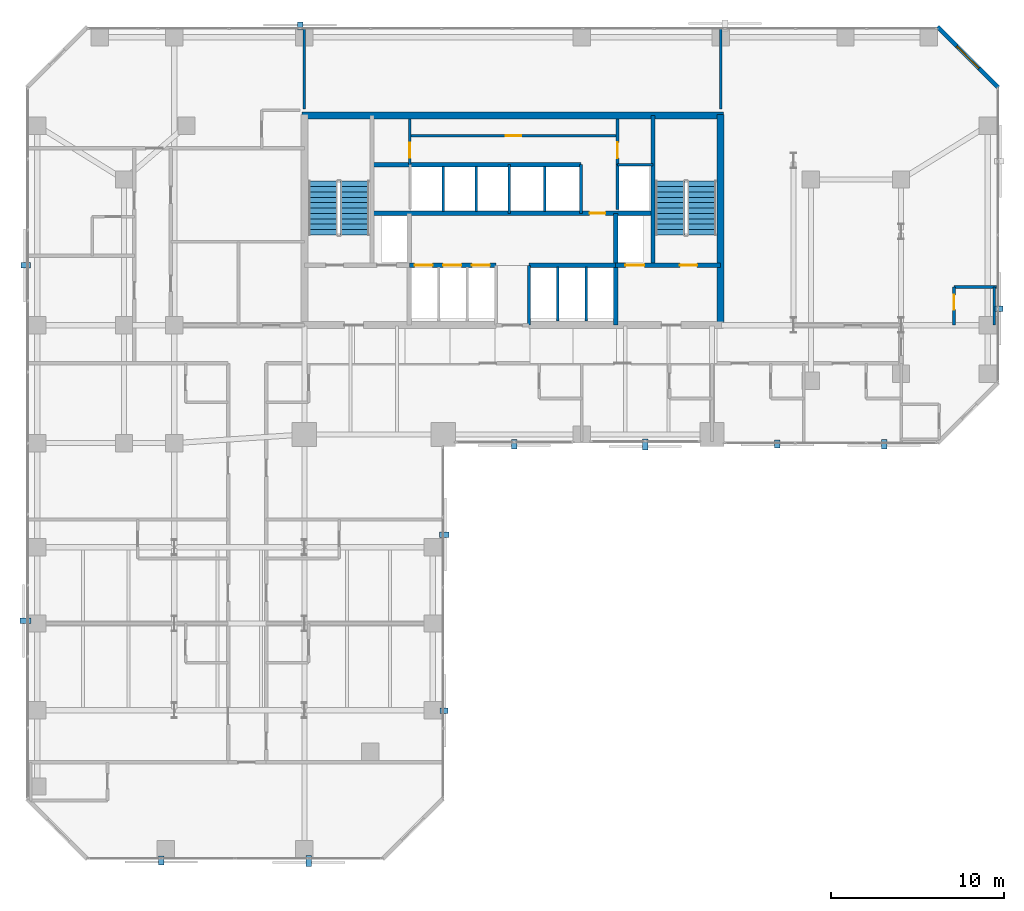
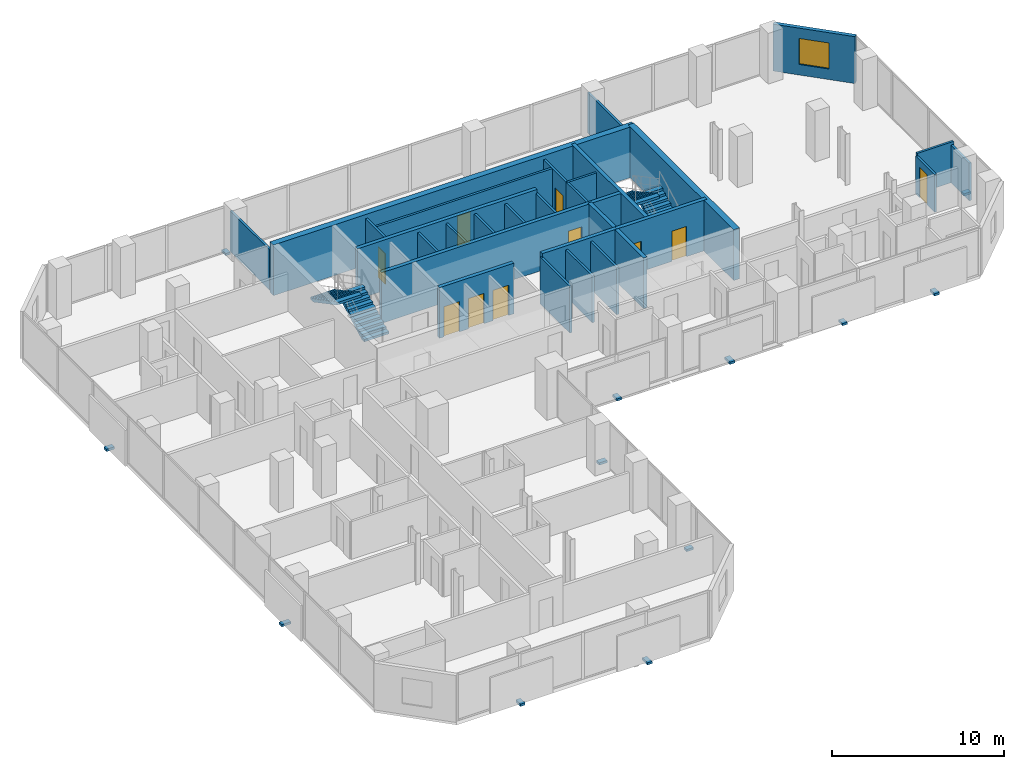
# One storey, part 29 of 32: 28 walls, 12 discrete accessories, 10 doors, 4 stair flights, 1 window, 11 openings, 2 elements without a shape of their own.
"""IFC4 building model written with IfcOpenShell, lengths in metres."""

from ifc_helpers import new_model, si_unit, direction, frame, frame_2d, origin, origin_2d, place, context, subcontext, project, spatial, polyline, rectangle, outline, extrude, material, layer, layer_set, type_object, element, fill, aggregate, save


model = new_model("IFC4")

# Units and contexts
model_context = context("Model", 3, precision=1e-05, world=origin(), true_north=direction((0.0, 1.0)))
body_context = subcontext(model_context, "Body", "Model", "MODEL_VIEW")
ifc_project = project(units=[si_unit("LENGTHUNIT", "METRE"), si_unit("AREAUNIT", "SQUARE_METRE"), si_unit("VOLUMEUNIT", "CUBIC_METRE"), si_unit("PLANEANGLEUNIT", "RADIAN"), si_unit("MASSUNIT", "GRAM", prefix="KILO")], contexts=[model_context])

# Site, building, storey
site_placement = place(None, origin())
site = spatial("IfcSite", under=ifc_project, at=site_placement, CompositionType="ELEMENT")
building_placement = place(site_placement, origin())
building = spatial("IfcBuilding", under=site, at=building_placement, Name="Catumbela Crestline Tower", CompositionType="ELEMENT")
storey_placement = place(building_placement, frame((0.0, 0.0, 29.4)))
storey = spatial("IfcBuildingStorey", under=building, at=storey_placement, Name="L06", CompositionType="ELEMENT", Elevation=29.4)

# Walls
ifc_material_1 = material(Name="Concrete C50/60", Category="concrete")
ifc_layer_1 = layer(ifc_material_1, 0.25, Name="Concrete C50/60")
ifc_layer_set_1 = layer_set([ifc_layer_1], Name="Concrete C50/60")
wall_type_1 = type_object("IfcWallType", Name="CW-250D", PredefinedType="SHEAR", material=ifc_layer_set_1)
wall_1_placement = place(storey_placement, frame((36.1, 34.25, 0.0), z_axis=(0.0, 0.0, 1.0), x_axis=(0.0, 1.0, 0.0)))
element("IfcWall", 1, at=wall_1_placement, inside=storey, type_object=wall_type_1, Name="L06 Structural Core Shear Wall EWEB", PredefinedType="SHEAR", context=body_context, shape_type="SweptSolid", body=[
    extrude(rectangle(XDim=8.65, YDim=0.25, at=frame_2d((4.325, 0.0))), origin(), (0.0, 0.0, 1.0), 3.6),
])
wall_2_placement = place(storey_placement, frame((33.95, 30.8, 0.0), z_axis=(0.0, 0.0, 1.0), x_axis=(0.0, 1.0, 0.0)))
element("IfcWall", 2, at=wall_2_placement, inside=storey, type_object=wall_type_1, Name="L06 Structural Core Shear Wall FFE", PredefinedType="SHEAR", context=body_context, shape_type="SweptSolid", body=[
    extrude(rectangle(XDim=6.45, YDim=0.25, at=frame_2d((3.225, 0.0))), origin(), (0.0, 0.0, 1.0), 3.6),
])

# Wall, openings, doors
wall_3_placement = place(storey_placement, frame((33.95, 34.25, 0.0), z_axis=(0.0, 0.0, 1.0), x_axis=(1.0, 0.0, 0.0)))
wall_3 = element("IfcWall", 3, at=wall_3_placement, inside=storey, type_object=wall_type_1, Name="L06 Structural Core Shear Wall ST2S", PredefinedType="SHEAR", context=body_context, shape_type="SweptSolid", body=[
    extrude(rectangle(XDim=6.05, YDim=0.25, at=frame_2d((3.025, 0.0))), origin(), (0.0, 0.0, 1.0), 3.6),
])
opening_1_placement = place(wall_3_placement, frame((3.7, 0.0, 0.0)))
opening_1 = element("IfcOpeningElement", 4, at=opening_1_placement, cuts=wall_3, Name="Opening DF9-100", PredefinedType="OPENING", context=body_context, shape_type="SweptSolid", body=[
    extrude(rectangle(XDim=1.0, YDim=2.15, at=frame_2d((0.5, 1.075))), frame((0.0, 0.135, 0.0), z_axis=(0.0, -1.0, 0.0), x_axis=(1.0, 0.0, 0.0)), (0.0, 0.0, 1.0), 0.27),
])
opening_2_placement = place(wall_3_placement, frame((0.55, 0.0, 0.0)))
opening_2 = element("IfcOpeningElement", 5, at=opening_2_placement, cuts=wall_3, Name="Opening LD-110", PredefinedType="OPENING", context=body_context, shape_type="SweptSolid", body=[
    extrude(rectangle(XDim=1.1, YDim=2.15, at=frame_2d((0.55, 1.075))), frame((0.0, 0.135, 0.0), z_axis=(0.0, -1.0, 0.0), x_axis=(1.0, 0.0, 0.0)), (0.0, 0.0, 1.0), 0.27),
])
ifc_material_2 = material(Name="Stainless steel EN 1.4401", Category="steel")
door_type_1 = type_object("IfcDoorType", Name="DF9-100", OperationType="NOTDEFINED", PredefinedType="DOOR", material=ifc_material_2)
door_1_placement = place(opening_1_placement, origin())
door_1 = element("IfcDoor", 6, at=door_1_placement, inside=storey, type_object=door_type_1, Name="L06 Interior Door DR-L06-ST02", OperationType="SINGLE_SWING_RIGHT", OverallHeight=2.15, OverallWidth=1.0, PredefinedType="DOOR", context=body_context, shape_type="SweptSolid", body=[
    extrude(rectangle(XDim=1.0, YDim=2.15, at=frame_2d((0.5, 1.075))), frame((0.0, 0.025, 0.0), z_axis=(0.0, -1.0, 0.0), x_axis=(1.0, 0.0, 0.0)), (0.0, 0.0, 1.0), 0.05),
])
fill(opening_1, door_1)
door_type_2 = type_object("IfcDoorType", Name="LD-110", OperationType="NOTDEFINED", PredefinedType="DOOR", material=ifc_material_2)
door_2_placement = place(opening_2_placement, origin())
door_2 = element("IfcDoor", 7, at=door_2_placement, inside=storey, type_object=door_type_2, Name="L06 Lift Landing Sliding Door FL-02", OperationType="DOUBLE_DOOR_SLIDING", OverallHeight=2.15, OverallWidth=1.1, PredefinedType="DOOR", context=body_context, shape_type="SweptSolid", body=[
    extrude(rectangle(XDim=1.1, YDim=2.15, at=frame_2d((0.55, 1.075))), frame((0.0, 0.025, 0.0), z_axis=(0.0, -1.0, 0.0), x_axis=(1.0, 0.0, 0.0)), (0.0, 0.0, 1.0), 0.05),
])
fill(opening_2, door_2)

wall_4_placement = place(storey_placement, frame((22.05, 34.25, 0.0), z_axis=(0.0, 0.0, 1.0), x_axis=(1.0, 0.0, 0.0)))
wall_4 = element("IfcWall", 8, at=wall_4_placement, inside=storey, type_object=wall_type_1, Name="L06 Structural Core Shear Wall LIFTS-W", PredefinedType="SHEAR", context=body_context, shape_type="SweptSolid", body=[
    extrude(rectangle(XDim=5.0, YDim=0.25, at=frame_2d((2.5, 0.0))), origin(), (0.0, 0.0, 1.0), 3.6),
])
opening_3_placement = place(wall_4_placement, frame((0.3, 0.0, 0.0)))
opening_3 = element("IfcOpeningElement", 9, at=opening_3_placement, cuts=wall_4, Name="Opening LD-105", PredefinedType="OPENING", context=body_context, shape_type="SweptSolid", body=[
    extrude(rectangle(XDim=1.05, YDim=2.15, at=frame_2d((0.525, 1.075))), frame((0.0, 0.135, 0.0), z_axis=(0.0, -1.0, 0.0), x_axis=(1.0, 0.0, 0.0)), (0.0, 0.0, 1.0), 0.27),
])
opening_4_placement = place(wall_4_placement, frame((1.95, 0.0, 0.0)))
opening_4 = element("IfcOpeningElement", 10, at=opening_4_placement, cuts=wall_4, Name="Opening LD-105", PredefinedType="OPENING", context=body_context, shape_type="SweptSolid", body=[
    extrude(rectangle(XDim=1.05, YDim=2.15, at=frame_2d((0.525, 1.075))), frame((0.0, 0.135, 0.0), z_axis=(0.0, -1.0, 0.0), x_axis=(1.0, 0.0, 0.0)), (0.0, 0.0, 1.0), 0.27),
])
opening_5_placement = place(wall_4_placement, frame((3.6, 0.0, 0.0)))
opening_5 = element("IfcOpeningElement", 11, at=opening_5_placement, cuts=wall_4, Name="Opening LD-105", PredefinedType="OPENING", context=body_context, shape_type="SweptSolid", body=[
    extrude(rectangle(XDim=1.05, YDim=2.15, at=frame_2d((0.525, 1.075))), frame((0.0, 0.135, 0.0), z_axis=(0.0, -1.0, 0.0), x_axis=(1.0, 0.0, 0.0)), (0.0, 0.0, 1.0), 0.27),
])
door_type_3 = type_object("IfcDoorType", Name="LD-105", OperationType="NOTDEFINED", PredefinedType="DOOR", material=ifc_material_2)
door_3_placement = place(opening_3_placement, origin())
door_3 = element("IfcDoor", 12, at=door_3_placement, inside=storey, type_object=door_type_3, Name="L06 Lift Landing Sliding Door PL-L1", OperationType="DOUBLE_DOOR_SLIDING", OverallHeight=2.15, OverallWidth=1.05, PredefinedType="DOOR", context=body_context, shape_type="SweptSolid", body=[
    extrude(rectangle(XDim=1.05, YDim=2.15, at=frame_2d((0.525, 1.075))), frame((0.0, 0.025, 0.0), z_axis=(0.0, -1.0, 0.0), x_axis=(1.0, 0.0, 0.0)), (0.0, 0.0, 1.0), 0.05),
])
fill(opening_3, door_3)
door_4_placement = place(opening_4_placement, origin())
door_4 = element("IfcDoor", 13, at=door_4_placement, inside=storey, type_object=door_type_3, Name="L06 Lift Landing Sliding Door PL-L2", OperationType="DOUBLE_DOOR_SLIDING", OverallHeight=2.15, OverallWidth=1.05, PredefinedType="DOOR", context=body_context, shape_type="SweptSolid", body=[
    extrude(rectangle(XDim=1.05, YDim=2.15, at=frame_2d((0.525, 1.075))), frame((0.0, 0.025, 0.0), z_axis=(0.0, -1.0, 0.0), x_axis=(1.0, 0.0, 0.0)), (0.0, 0.0, 1.0), 0.05),
])
fill(opening_4, door_4)
door_5_placement = place(opening_5_placement, origin())
door_5 = element("IfcDoor", 14, at=door_5_placement, inside=storey, type_object=door_type_3, Name="L06 Lift Landing Sliding Door PL-L3", OperationType="DOUBLE_DOOR_SLIDING", OverallHeight=2.15, OverallWidth=1.05, PredefinedType="DOOR", context=body_context, shape_type="SweptSolid", body=[
    extrude(rectangle(XDim=1.05, YDim=2.15, at=frame_2d((0.525, 1.075))), frame((0.0, 0.025, 0.0), z_axis=(0.0, -1.0, 0.0), x_axis=(1.0, 0.0, 0.0)), (0.0, 0.0, 1.0), 0.05),
])
fill(opening_5, door_5)

# Wall
wall_5_placement = place(storey_placement, frame((28.95, 34.25, 0.0), z_axis=(0.0, 0.0, 1.0), x_axis=(1.0, 0.0, 0.0)))
element("IfcWall", 15, at=wall_5_placement, inside=storey, type_object=wall_type_1, Name="L06 Structural Core Shear Wall LIFTS-E", PredefinedType="SHEAR", context=body_context, shape_type="SweptSolid", body=[
    extrude(rectangle(XDim=5.0, YDim=0.25, at=frame_2d((2.5, 0.0))), origin(), (0.0, 0.0, 1.0), 3.6),
])

# Wall, opening, door
wall_6_placement = place(storey_placement, frame((19.9, 37.25, 0.0), z_axis=(0.0, 0.0, 1.0), x_axis=(1.0, 0.0, 0.0)))
wall_6 = element("IfcWall", 16, at=wall_6_placement, inside=storey, type_object=wall_type_1, Name="L06 Structural Core Shear Wall LIFTN", PredefinedType="SHEAR", context=body_context, shape_type="SweptSolid", body=[
    extrude(rectangle(XDim=16.2, YDim=0.25, at=frame_2d((8.1, 0.0))), origin(), (0.0, 0.0, 1.0), 3.6),
])
opening_6_placement = place(wall_6_placement, frame((12.55, 0.0, 0.0)))
opening_6 = element("IfcOpeningElement", 17, at=opening_6_placement, cuts=wall_6, Name="Opening DF9-090", PredefinedType="OPENING", context=body_context, shape_type="SweptSolid", body=[
    extrude(rectangle(XDim=0.9, YDim=2.15, at=frame_2d((0.45, 1.075))), frame((0.0, 0.135, 0.0), z_axis=(0.0, -1.0, 0.0), x_axis=(1.0, 0.0, 0.0)), (0.0, 0.0, 1.0), 0.27),
])
door_type_4 = type_object("IfcDoorType", Name="DF9-090", OperationType="NOTDEFINED", PredefinedType="DOOR", material=ifc_material_2)
door_6_placement = place(opening_6_placement, origin())
door_6 = element("IfcDoor", 18, at=door_6_placement, inside=storey, type_object=door_type_4, Name="L06 Interior Door DR-L06-CPAS1", OperationType="SINGLE_SWING_LEFT", OverallHeight=2.15, OverallWidth=0.9, PredefinedType="DOOR", context=body_context, shape_type="SweptSolid", body=[
    extrude(rectangle(XDim=0.9, YDim=2.15, at=frame_2d((0.45, 1.075))), frame((0.0, 0.025, 0.0), z_axis=(0.0, -1.0, 0.0), x_axis=(1.0, 0.0, 0.0)), (0.0, 0.0, 1.0), 0.05),
])
fill(opening_6, door_6)

# Walls
wall_7_placement = place(storey_placement, frame((19.9, 40.05, 0.0), z_axis=(0.0, 0.0, 1.0), x_axis=(1.0, 0.0, 0.0)))
element("IfcWall", 19, at=wall_7_placement, inside=storey, type_object=wall_type_1, Name="L06 Structural Core Shear Wall COREN", PredefinedType="SHEAR", context=body_context, shape_type="SweptSolid", body=[
    extrude(rectangle(XDim=12.05, YDim=0.25, at=frame_2d((6.025, 0.0))), origin(), (0.0, 0.0, 1.0), 3.6),
])
ifc_material_3 = material(Name="Concrete C60/75", Category="concrete")
ifc_layer_2 = layer(ifc_material_3, 0.4, Name="Concrete C60/75")
ifc_layer_set_2 = layer_set([ifc_layer_2], Name="Concrete C60/75")
wall_type_2 = type_object("IfcWallType", Name="CW-400A", PredefinedType="SHEAR", material=ifc_layer_set_2)
wall_8_placement = place(storey_placement, frame((40.0, 30.65, 0.0), z_axis=(0.0, 0.0, 1.0), x_axis=(0.0, 1.0, 0.0)))
element("IfcWall", 20, at=wall_8_placement, inside=storey, type_object=wall_type_2, Name="L06 Structural Core Shear Wall E", PredefinedType="SHEAR", context=body_context, shape_type="SweptSolid", body=[
    extrude(rectangle(XDim=12.3, YDim=0.4, at=frame_2d((6.15, 0.0))), origin(), (0.0, 0.0, 1.0), 3.6),
])
wall_9_placement = place(storey_placement, frame((15.85, 42.9, 0.0), z_axis=(0.0, 0.0, 1.0), x_axis=(1.0, 0.0, 0.0)))
element("IfcWall", 21, at=wall_9_placement, inside=storey, type_object=wall_type_2, Name="L06 Structural Core Shear Wall N", PredefinedType="SHEAR", context=body_context, shape_type="SweptSolid", body=[
    extrude(rectangle(XDim=24.3, YDim=0.4, at=frame_2d((12.15, 0.0))), origin(), (0.0, 0.0, 1.0), 3.6),
])

# Wall, opening, window
ifc_material_4 = material(Name="Angolan grey-ochre granite", Category="masonry")
ifc_layer_3 = layer(ifc_material_4, 0.25, Name="Angolan grey-ochre granite")
ifc_layer_set_3 = layer_set([ifc_layer_3], Name="Angolan grey-ochre granite")
wall_type_3 = type_object("IfcWallType", Name="WE-250", PredefinedType="STANDARD", material=ifc_layer_set_3)
wall_10_placement = place(storey_placement, frame((56.0, 44.5, 0.0), z_axis=(0.0, 0.0, 1.0), x_axis=(-0.707106781187, 0.707106781187, 0.0)))
wall_10 = element("IfcWall", 22, at=wall_10_placement, inside=storey, type_object=wall_type_3, Name="L06 Granite Punched Window Wall 6-1", PredefinedType="STANDARD", context=body_context, shape_type="SweptSolid", body=[
    extrude(rectangle(XDim=4.9497, YDim=0.25, at=frame_2d((2.4748, 0.0))), origin(), (0.0, 0.0, 1.0), 3.33),
])
opening_7_placement = place(wall_10_placement, frame((1.5749, 0.0, 0.75)))
opening_7 = element("IfcOpeningElement", 23, at=opening_7_placement, cuts=wall_10, Name="Opening WN-01", PredefinedType="OPENING", context=body_context, shape_type="SweptSolid", body=[
    extrude(rectangle(XDim=1.8, YDim=1.85, at=frame_2d((0.9, 0.925))), frame((0.0, 0.135, 0.0), z_axis=(0.0, -1.0, 0.0), x_axis=(1.0, 0.0, 0.0)), (0.0, 0.0, 1.0), 0.27),
])
ifc_material_5 = material(Name="Low-E laminated solar-control double glazing", Category="glass")
window_type = type_object("IfcWindowType", Name="WF-1800", PartitioningType="SINGLE_PANEL", PredefinedType="WINDOW", material=ifc_material_5)
window_placement = place(opening_7_placement, origin())
window = element("IfcWindow", 24, at=window_placement, inside=storey, type_object=window_type, Name="L06 Facade Vision Window 55", OverallHeight=1.85, OverallWidth=1.8, PartitioningType="SINGLE_PANEL", PredefinedType="WINDOW", context=body_context, shape_type="SweptSolid", body=[
    extrude(rectangle(XDim=1.8, YDim=1.85, at=frame_2d((0.9, 0.925))), frame((0.0, 0.03, 0.0), z_axis=(0.0, -1.0, 0.0), x_axis=(1.0, 0.0, 0.0)), (0.0, 0.0, 1.0), 0.06),
])
fill(opening_7, window)

# Wall
ifc_material_6 = material(Name="Acoustic gypsum and mineral-wool partition")
ifc_layer_4 = layer(ifc_material_6, 0.15, Name="Acoustic gypsum and mineral-wool partition")
ifc_layer_set_4 = layer_set([ifc_layer_4], Name="Acoustic gypsum and mineral-wool partition")
wall_type_4 = type_object("IfcWallType", Name="WP-150", PredefinedType="PARTITIONING", material=ifc_layer_set_4)
wall_11_placement = place(storey_placement, frame((34.05, 40.05, 0.0), z_axis=(0.0, 0.0, 1.0), x_axis=(1.0, 0.0, 0.0)))
element("IfcWall", 25, at=wall_11_placement, inside=storey, type_object=wall_type_4, Name="L06 Interior Partition PW-L06-CR-ES", PredefinedType="PARTITIONING", context=body_context, shape_type="SweptSolid", body=[
    extrude(rectangle(XDim=2.05, YDim=0.15, at=frame_2d((1.025, 0.0))), origin(), (0.0, 0.0, 1.0), 3.33),
])

# Wall, opening, door
wall_12_placement = place(storey_placement, frame((34.05, 40.05, 0.0), z_axis=(0.0, 0.0, 1.0), x_axis=(0.0, 1.0, 0.0)))
wall_12 = element("IfcWall", 26, at=wall_12_placement, inside=storey, type_object=wall_type_4, Name="L06 Interior Partition PW-L06-CR-EW", PredefinedType="PARTITIONING", context=body_context, shape_type="SweptSolid", body=[
    extrude(rectangle(XDim=2.63, YDim=0.15, at=frame_2d((1.315, 0.0))), origin(), (0.0, 0.0, 1.0), 3.33),
])
opening_8_placement = place(wall_12_placement, frame((0.385, 0.0, 0.0)))
opening_8 = element("IfcOpeningElement", 27, at=opening_8_placement, cuts=wall_12, Name="Opening DF9-090", PredefinedType="OPENING", context=body_context, shape_type="SweptSolid", body=[
    extrude(rectangle(XDim=0.9, YDim=2.15, at=frame_2d((0.45, 1.075))), frame((0.0, 0.085, 0.0), z_axis=(0.0, -1.0, 0.0), x_axis=(1.0, 0.0, 0.0)), (0.0, 0.0, 1.0), 0.17),
])
door_7_placement = place(opening_8_placement, origin())
door_7 = element("IfcDoor", 28, at=door_7_placement, inside=storey, type_object=door_type_4, Name="L06 Interior Door DR-L06-CREAST", OperationType="SINGLE_SWING_RIGHT", OverallHeight=2.15, OverallWidth=0.9, PredefinedType="DOOR", context=body_context, shape_type="SweptSolid", body=[
    extrude(rectangle(XDim=0.9, YDim=2.15, at=frame_2d((0.45, 1.075))), frame((0.0, 0.025, 0.0), z_axis=(0.0, -1.0, 0.0), x_axis=(1.0, 0.0, 0.0)), (0.0, 0.0, 1.0), 0.05),
])
fill(opening_8, door_7)

wall_13_placement = place(storey_placement, frame((22.08, 40.05, 0.0), z_axis=(0.0, 0.0, 1.0), x_axis=(0.0, 1.0, 0.0)))
wall_13 = element("IfcWall", 29, at=wall_13_placement, inside=storey, type_object=wall_type_4, Name="L06 Interior Partition PW-L06-CR-WCW", PredefinedType="PARTITIONING", context=body_context, shape_type="SweptSolid", body=[
    extrude(rectangle(XDim=2.63, YDim=0.15, at=frame_2d((1.315, 0.0))), origin(), (0.0, 0.0, 1.0), 3.33),
])
opening_9_placement = place(wall_13_placement, frame((0.41, 0.0, 0.0)))
opening_9 = element("IfcOpeningElement", 30, at=opening_9_placement, cuts=wall_13, Name="Opening DI-085", PredefinedType="OPENING", context=body_context, shape_type="SweptSolid", body=[
    extrude(rectangle(XDim=0.85, YDim=2.15, at=frame_2d((0.425, 1.075))), frame((0.0, 0.085, 0.0), z_axis=(0.0, -1.0, 0.0), x_axis=(1.0, 0.0, 0.0)), (0.0, 0.0, 1.0), 0.17),
])
ifc_material_7 = material(Name="Aluminium alloy AW-6060-T66", Category="aluminium")
door_type_5 = type_object("IfcDoorType", Name="DI-085", OperationType="NOTDEFINED", PredefinedType="DOOR", material=ifc_material_7)
door_8_placement = place(opening_9_placement, origin())
door_8 = element("IfcDoor", 31, at=door_8_placement, inside=storey, type_object=door_type_5, Name="L06 Interior Door DR-L06-CRWC", OperationType="SINGLE_SWING_LEFT", OverallHeight=2.15, OverallWidth=0.85, PredefinedType="DOOR", context=body_context, shape_type="SweptSolid", body=[
    extrude(rectangle(XDim=0.85, YDim=2.15, at=frame_2d((0.425, 1.075))), frame((0.0, 0.025, 0.0), z_axis=(0.0, -1.0, 0.0), x_axis=(1.0, 0.0, 0.0)), (0.0, 0.0, 1.0), 0.05),
])
fill(opening_9, door_8)

wall_14_placement = place(storey_placement, frame((22.08, 41.72, 0.0), z_axis=(0.0, 0.0, 1.0), x_axis=(1.0, 0.0, 0.0)))
wall_14 = element("IfcWall", 32, at=wall_14_placement, inside=storey, type_object=wall_type_4, Name="L06 Interior Partition PW-L06-CR-MID", PredefinedType="PARTITIONING", context=body_context, shape_type="SweptSolid", body=[
    extrude(rectangle(XDim=11.97, YDim=0.15, at=frame_2d((5.985, 0.0))), origin(), (0.0, 0.0, 1.0), 3.33),
])
opening_10_placement = place(wall_14_placement, frame((5.535, 0.0, 0.0)))
opening_10 = element("IfcOpeningElement", 33, at=opening_10_placement, cuts=wall_14, Name="Opening DF9-090", PredefinedType="OPENING", context=body_context, shape_type="SweptSolid", body=[
    extrude(rectangle(XDim=0.9, YDim=2.15, at=frame_2d((0.45, 1.075))), frame((0.0, 0.085, 0.0), z_axis=(0.0, -1.0, 0.0), x_axis=(1.0, 0.0, 0.0)), (0.0, 0.0, 1.0), 0.17),
])
door_9_placement = place(opening_10_placement, origin())
door_9 = element("IfcDoor", 34, at=door_9_placement, inside=storey, type_object=door_type_4, Name="L06 Interior Door DR-L06-CRMID", OperationType="SINGLE_SWING_LEFT", OverallHeight=2.15, OverallWidth=0.9, PredefinedType="DOOR", context=body_context, shape_type="SweptSolid", body=[
    extrude(rectangle(XDim=0.9, YDim=2.15, at=frame_2d((0.45, 1.075))), frame((0.0, 0.025, 0.0), z_axis=(0.0, -1.0, 0.0), x_axis=(1.0, 0.0, 0.0)), (0.0, 0.0, 1.0), 0.05),
])
fill(opening_10, door_9)

# Walls
for number, where, z_axis, x_axis, name in (
    (35, (16.0, 43.27, 0.0), (0.0, 0.0, 1.0), (0.0, 1.0, 0.0), "L06 Interior Partition PW-L06-NCF-W"),
    (36, (40.0, 43.27, 0.0), (0.0, 0.0, 1.0), (0.0, 1.0, 0.0), "L06 Interior Partition PW-L06-NCF-E"),
):
    element("IfcWall", number, at=place(storey_placement, frame(where, z_axis=z_axis, x_axis=x_axis)), inside=storey, type_object=wall_type_4, Name=name, PredefinedType="PARTITIONING", context=body_context, shape_type="SweptSolid", body=[
        extrude(rectangle(XDim=4.63, YDim=0.15, at=frame_2d((2.315, 0.0))), origin(), (0.0, 0.0, 1.0), 2.87),
    ])
wall_15_placement = place(storey_placement, frame((53.45, 33.0, 0.0), z_axis=(0.0, 0.0, 1.0), x_axis=(1.0, 0.0, 0.0)))
element("IfcWall", 37, at=wall_15_placement, inside=storey, type_object=wall_type_4, Name="L06 Interior Partition PW-L06-NES-BHW", PredefinedType="PARTITIONING", context=body_context, shape_type="SweptSolid", body=[
    extrude(rectangle(XDim=2.45, YDim=0.15, at=frame_2d((1.225, 0.0))), origin(), (0.0, 0.0, 1.0), 2.87),
])

# Wall, opening, door
wall_16_placement = place(storey_placement, frame((53.45, 30.8, 0.0), z_axis=(0.0, 0.0, 1.0), x_axis=(0.0, 1.0, 0.0)))
wall_16 = element("IfcWall", 38, at=wall_16_placement, inside=storey, type_object=wall_type_4, Name="L06 Interior Partition PW-L06-NES-BWW", PredefinedType="PARTITIONING", context=body_context, shape_type="SweptSolid", body=[
    extrude(rectangle(XDim=2.2, YDim=0.15, at=frame_2d((1.1, 0.0))), origin(), (0.0, 0.0, 1.0), 2.68),
])
opening_11_placement = place(wall_16_placement, frame((0.8925, 0.0, 0.0)))
opening_11 = element("IfcOpeningElement", 39, at=opening_11_placement, cuts=wall_16, Name="Opening DI-085", PredefinedType="OPENING", context=body_context, shape_type="SweptSolid", body=[
    extrude(rectangle(XDim=0.85, YDim=2.15, at=frame_2d((0.425, 1.075))), frame((0.0, 0.085, 0.0), z_axis=(0.0, -1.0, 0.0), x_axis=(1.0, 0.0, 0.0)), (0.0, 0.0, 1.0), 0.17),
])
door_10_placement = place(opening_11_placement, origin())
door_10 = element("IfcDoor", 40, at=door_10_placement, inside=storey, type_object=door_type_5, Name="L06 Interior Door DR-L06-NES-BTH", OperationType="SINGLE_SWING_RIGHT", OverallHeight=2.15, OverallWidth=0.85, PredefinedType="DOOR", context=body_context, shape_type="SweptSolid", body=[
    extrude(rectangle(XDim=0.85, YDim=2.15, at=frame_2d((0.425, 1.075))), frame((0.0, 0.025, 0.0), z_axis=(0.0, -1.0, 0.0), x_axis=(1.0, 0.0, 0.0)), (0.0, 0.0, 1.0), 0.05),
])
fill(opening_11, door_10)

# Walls
wall_17_placement = place(storey_placement, frame((55.78, 33.0, 0.0), z_axis=(0.0, 0.0, 1.0), x_axis=(0.0, -1.0, 0.0)))
element("IfcWall", 41, at=wall_17_placement, inside=storey, type_object=wall_type_4, Name="L06 Interior Partition PW-L06-NES-BCL-2", PredefinedType="PARTITIONING", context=body_context, shape_type="SweptSolid", body=[
    extrude(rectangle(XDim=2.2, YDim=0.15, at=frame_2d((1.1, 0.0))), origin(), (0.0, 0.0, 1.0), 2.68),
])
ifc_layer_5 = layer(ifc_material_6, 0.15, Name="Acoustic gypsum and mineral-wool partition")
ifc_layer_set_5 = layer_set([ifc_layer_5], Name="Acoustic gypsum and mineral-wool partition")
wall_type_5 = type_object("IfcWallType", Name="WS-150", PredefinedType="PLUMBINGWALL", material=ifc_layer_set_5)
wall_18_placement = place(storey_placement, frame((28.95, 30.8, 0.0), z_axis=(0.0, 0.0, 1.0), x_axis=(0.0, 1.0, 0.0)))
element("IfcWall", 42, at=wall_18_placement, inside=storey, type_object=wall_type_5, Name="L06 Interior Partition PW-L06-THRE", PredefinedType="PLUMBINGWALL", context=body_context, shape_type="SweptSolid", body=[
    extrude(rectangle(XDim=3.45, YDim=0.15, at=frame_2d((1.725, 0.0))), origin(), (0.0, 0.0, 1.0), 3.33),
])
for number, where, z_axis, x_axis, name in (
    (43, (30.6, 31.05, 0.0), (0.0, 0.0, 1.0), (0.0, 1.0, 0.0), "L06 Interior Partition PW-L06-SHM1"),
    (44, (32.25, 31.05, 0.0), (0.0, 0.0, 1.0), (0.0, 1.0, 0.0), "L06 Interior Partition PW-L06-SHM2"),
):
    element("IfcWall", number, at=place(storey_placement, frame(where, z_axis=z_axis, x_axis=x_axis)), inside=storey, type_object=wall_type_5, Name=name, PredefinedType="PLUMBINGWALL", context=body_context, shape_type="SweptSolid", body=[
        extrude(rectangle(XDim=3.1, YDim=0.15, at=frame_2d((1.55, 0.0))), origin(), (0.0, 0.0, 1.0), 3.33),
    ])
wall_19_placement = place(storey_placement, frame((27.8, 37.25, 0.0), z_axis=(0.0, 0.0, 1.0), x_axis=(0.0, 1.0, 0.0)))
element("IfcWall", 45, at=wall_19_placement, inside=storey, type_object=wall_type_5, Name="L06 Interior Partition PW-L06-SHH3", PredefinedType="PLUMBINGWALL", context=body_context, shape_type="SweptSolid", body=[
    extrude(rectangle(XDim=2.8, YDim=0.15, at=frame_2d((1.4, 0.0))), origin(), (0.0, 0.0, 1.0), 3.33),
])
for number, where, z_axis, x_axis, name in (
    (46, (24.0, 37.35, 0.0), (0.0, 0.0, 1.0), (0.0, 1.0, 0.0), "L06 Interior Partition PW-L06-SHH1"),
    (47, (25.9, 37.35, 0.0), (0.0, 0.0, 1.0), (0.0, 1.0, 0.0), "L06 Interior Partition PW-L06-SHH2"),
):
    element("IfcWall", number, at=place(storey_placement, frame(where, z_axis=z_axis, x_axis=x_axis)), inside=storey, type_object=wall_type_5, Name=name, PredefinedType="PLUMBINGWALL", context=body_context, shape_type="SweptSolid", body=[
        extrude(rectangle(XDim=2.6, YDim=0.15, at=frame_2d((1.3, 0.0))), origin(), (0.0, 0.0, 1.0), 3.33),
    ])
wall_20_placement = place(storey_placement, frame((31.95, 37.25, 0.0), z_axis=(0.0, 0.0, 1.0), x_axis=(0.0, 1.0, 0.0)))
element("IfcWall", 48, at=wall_20_placement, inside=storey, type_object=wall_type_5, Name="L06 Interior Partition PW-L06-SHEX2E", PredefinedType="PLUMBINGWALL", context=body_context, shape_type="SweptSolid", body=[
    extrude(rectangle(XDim=2.8, YDim=0.15, at=frame_2d((1.4, 0.0))), origin(), (0.0, 0.0, 1.0), 3.33),
])
wall_21_placement = place(storey_placement, frame((29.85, 37.35, 0.0), z_axis=(0.0, 0.0, 1.0), x_axis=(0.0, 1.0, 0.0)))
element("IfcWall", 49, at=wall_21_placement, inside=storey, type_object=wall_type_5, Name="L06 Interior Partition PW-L06-SHEX1", PredefinedType="PLUMBINGWALL", context=body_context, shape_type="SweptSolid", body=[
    extrude(rectangle(XDim=2.6, YDim=0.15, at=frame_2d((1.3, 0.0))), origin(), (0.0, 0.0, 1.0), 3.33),
])
wall_22_placement = place(storey_placement, frame((34.05, 37.4734, 0.0), z_axis=(0.0, 0.0, 1.0), x_axis=(0.0, 1.0, 0.0)))
element("IfcWall", 50, at=wall_22_placement, inside=storey, type_object=wall_type_5, Name="L06 Interior Partition PW-L06-RISW", PredefinedType="PLUMBINGWALL", context=body_context, shape_type="SweptSolid", body=[
    extrude(rectangle(XDim=2.5766, YDim=0.15, at=frame_2d((1.2883, 0.0))), origin(), (0.0, 0.0, 1.0), 3.33),
])

# Stair, stair flights
ifc_material_8 = material(Name="Concrete C45/55", Category="concrete")
stair_type = type_object("IfcStairType", Name="ST-DLG", PredefinedType="HALF_TURN_STAIR", material=ifc_material_8)
stair_1_placement = place(storey_placement, origin())
stair_1 = element("IfcStair", 51, at=stair_1_placement, inside=storey, type_object=stair_type, Name="L06 West Core Pressurised Exit Stair ST-01", PredefinedType="HALF_TURN_STAIR")
stair_flight_type = type_object("IfcStairFlightType", Name="SF-1636", PredefinedType="STRAIGHT", material=ifc_material_8)
stair_flight_1_placement = place(storey_placement, frame((18.92, 36.0, 0.0), z_axis=(0.0, 0.0, 1.0), x_axis=(0.0, 1.0, 0.0)))
stair_flight_1 = element("IfcStairFlight", 52, at=stair_flight_1_placement, type_object=stair_flight_type, Name="ST-01 flight 1", NumberOfRisers=11, NumberOfTreads=10, PredefinedType="STRAIGHT", RiserHeight=0.163636364, TreadLength=0.31, context=body_context, shape_type="SweptSolid", body=[
    extrude(outline(polyline([(0.0, 0.0), (0.0, 0.1636), (0.31, 0.1636), (0.31, 0.3273), (0.62, 0.3273), (0.62, 0.4909), (0.93, 0.4909), (0.93, 0.6545), (1.24, 0.6545), (1.24, 0.8182), (1.55, 0.8182), (1.55, 0.9818), (1.86, 0.9818), (1.86, 1.1455), (2.17, 1.1455), (2.17, 1.3091), (2.48, 1.3091), (2.48, 1.4727), (2.79, 1.4727), (2.79, 1.6364), (3.1, 1.6364), (3.1, 1.8), (3.1, 1.4554), (0.3427, 0.0), (0.0, 0.0)])), frame((0.0, 0.83, 0.0), z_axis=(0.0, -1.0, 0.0), x_axis=(1.0, 0.0, 0.0)), (0.0, 0.0, 1.0), 1.66),
])
stair_flight_2_placement = place(storey_placement, frame((17.08, 39.1, 1.8), z_axis=(0.0, 0.0, 1.0), x_axis=(0.0, -1.0, 0.0)))
stair_flight_2 = element("IfcStairFlight", 53, at=stair_flight_2_placement, type_object=stair_flight_type, Name="ST-01 flight 2", NumberOfRisers=11, NumberOfTreads=10, PredefinedType="STRAIGHT", RiserHeight=0.163636364, TreadLength=0.31, context=body_context, shape_type="SweptSolid", body=[
    extrude(outline(polyline([(0.0, 0.0), (0.0, 0.1636), (0.31, 0.1636), (0.31, 0.3273), (0.62, 0.3273), (0.62, 0.4909), (0.93, 0.4909), (0.93, 0.6545), (1.24, 0.6545), (1.24, 0.8182), (1.55, 0.8182), (1.55, 0.9818), (1.86, 0.9818), (1.86, 1.1455), (2.17, 1.1455), (2.17, 1.3091), (2.48, 1.3091), (2.48, 1.4727), (2.79, 1.4727), (2.79, 1.6364), (3.1, 1.6364), (3.1, 1.8), (3.1, 1.4554), (0.3427, 0.0), (0.0, 0.0)])), frame((0.0, 0.83, 0.0), z_axis=(0.0, -1.0, 0.0), x_axis=(1.0, 0.0, 0.0)), (0.0, 0.0, 1.0), 1.66),
])
aggregate(stair_1, [stair_flight_1, stair_flight_2])

stair_2_placement = place(storey_placement, origin())
stair_2 = element("IfcStair", 54, at=stair_2_placement, inside=storey, type_object=stair_type, Name="L06 East Core Pressurised Exit Stair ST-02", PredefinedType="HALF_TURN_STAIR")
stair_flight_3_placement = place(storey_placement, frame((38.92, 36.0, 0.0), z_axis=(0.0, 0.0, 1.0), x_axis=(0.0, 1.0, 0.0)))
stair_flight_3 = element("IfcStairFlight", 55, at=stair_flight_3_placement, type_object=stair_flight_type, Name="ST-02 flight 1", NumberOfRisers=11, NumberOfTreads=10, PredefinedType="STRAIGHT", RiserHeight=0.163636364, TreadLength=0.31, context=body_context, shape_type="SweptSolid", body=[
    extrude(outline(polyline([(0.0, 0.0), (0.0, 0.1636), (0.31, 0.1636), (0.31, 0.3273), (0.62, 0.3273), (0.62, 0.4909), (0.93, 0.4909), (0.93, 0.6545), (1.24, 0.6545), (1.24, 0.8182), (1.55, 0.8182), (1.55, 0.9818), (1.86, 0.9818), (1.86, 1.1455), (2.17, 1.1455), (2.17, 1.3091), (2.48, 1.3091), (2.48, 1.4727), (2.79, 1.4727), (2.79, 1.6364), (3.1, 1.6364), (3.1, 1.8), (3.1, 1.4554), (0.3427, 0.0), (0.0, 0.0)])), frame((0.0, 0.83, 0.0), z_axis=(0.0, -1.0, 0.0), x_axis=(1.0, 0.0, 0.0)), (0.0, 0.0, 1.0), 1.66),
])
stair_flight_4_placement = place(storey_placement, frame((37.08, 39.1, 1.8), z_axis=(0.0, 0.0, 1.0), x_axis=(0.0, -1.0, 0.0)))
stair_flight_4 = element("IfcStairFlight", 56, at=stair_flight_4_placement, type_object=stair_flight_type, Name="ST-02 flight 2", NumberOfRisers=11, NumberOfTreads=10, PredefinedType="STRAIGHT", RiserHeight=0.163636364, TreadLength=0.31, context=body_context, shape_type="SweptSolid", body=[
    extrude(outline(polyline([(0.0, 0.0), (0.0, 0.1636), (0.31, 0.1636), (0.31, 0.3273), (0.62, 0.3273), (0.62, 0.4909), (0.93, 0.4909), (0.93, 0.6545), (1.24, 0.6545), (1.24, 0.8182), (1.55, 0.8182), (1.55, 0.9818), (1.86, 0.9818), (1.86, 1.1455), (2.17, 1.1455), (2.17, 1.3091), (2.48, 1.3091), (2.48, 1.4727), (2.79, 1.4727), (2.79, 1.6364), (3.1, 1.6364), (3.1, 1.8), (3.1, 1.4554), (0.3427, 0.0), (0.0, 0.0)])), frame((0.0, 0.83, 0.0), z_axis=(0.0, -1.0, 0.0), x_axis=(1.0, 0.0, 0.0)), (0.0, 0.0, 1.0), 1.66),
])
aggregate(stair_2, [stair_flight_3, stair_flight_4])

# Discrete accessories
discrete_accessory_type = type_object("IfcDiscreteAccessoryType", Name="BK-SS1", PredefinedType="BRACKET", material=ifc_material_2)
discrete_accessory_1_placement = place(storey_placement, frame((7.75, -0.065, -0.18), z_axis=(0.0, 0.0, 1.0), x_axis=(1.0, 0.0, 0.0)))
element("IfcDiscreteAccessory", 57, at=discrete_accessory_1_placement, inside=storey, type_object=discrete_accessory_type, Name="L06 Solar Screen Stainless Bracket 15", PredefinedType="BRACKET", context=body_context, shape_type="SweptSolid", body=[
    extrude(rectangle(XDim=0.32, YDim=0.54, at=origin_2d()), origin(), (0.0, 0.0, 1.0), 0.16),
])
discrete_accessory_2_placement = place(storey_placement, frame((16.25, -0.085, -0.18), z_axis=(0.0, 0.0, 1.0), x_axis=(1.0, 0.0, 0.0)))
element("IfcDiscreteAccessory", 58, at=discrete_accessory_2_placement, inside=storey, type_object=discrete_accessory_type, Name="L06 Solar Screen Stainless Bracket 16", PredefinedType="BRACKET", context=body_context, shape_type="SweptSolid", body=[
    extrude(rectangle(XDim=0.32, YDim=0.62, at=origin_2d()), origin(), (0.0, 0.0, 1.0), 0.16),
])
discrete_accessory_3_placement = place(storey_placement, frame((24.045, 8.575, -0.18), z_axis=(0.0, 0.0, 1.0), x_axis=(0.0, 1.0, 0.0)))
element("IfcDiscreteAccessory", 59, at=discrete_accessory_3_placement, inside=storey, type_object=discrete_accessory_type, Name="L06 Solar Screen Stainless Bracket 17", PredefinedType="BRACKET", context=body_context, shape_type="SweptSolid", body=[
    extrude(rectangle(XDim=0.32, YDim=0.46, at=origin_2d()), origin(), (0.0, 0.0, 1.0), 0.16),
])
for number, where, z_axis, x_axis, name in (
    (60, (24.065, 18.725, -0.18), (0.0, 0.0, 1.0), (0.0, 1.0, 0.0), "L06 Solar Screen Stainless Bracket 18"),
    (61, (28.1, 23.935, -0.18), (0.0, 0.0, 1.0), (1.0, 0.0, 0.0), "L06 Solar Screen Stainless Bracket 19"),
):
    element("IfcDiscreteAccessory", number, at=place(storey_placement, frame(where, z_axis=z_axis, x_axis=x_axis)), inside=storey, type_object=discrete_accessory_type, Name=name, PredefinedType="BRACKET", context=body_context, shape_type="SweptSolid", body=[
        extrude(rectangle(XDim=0.32, YDim=0.54, at=origin_2d()), origin(), (0.0, 0.0, 1.0), 0.16),
    ])
discrete_accessory_4_placement = place(storey_placement, frame((35.65, 23.915, -0.18), z_axis=(0.0, 0.0, 1.0), x_axis=(1.0, 0.0, 0.0)))
element("IfcDiscreteAccessory", 62, at=discrete_accessory_4_placement, inside=storey, type_object=discrete_accessory_type, Name="L06 Solar Screen Stainless Bracket 20", PredefinedType="BRACKET", context=body_context, shape_type="SweptSolid", body=[
    extrude(rectangle(XDim=0.32, YDim=0.62, at=origin_2d()), origin(), (0.0, 0.0, 1.0), 0.16),
])
discrete_accessory_5_placement = place(storey_placement, frame((43.275, 23.955, -0.18), z_axis=(0.0, 0.0, 1.0), x_axis=(1.0, 0.0, 0.0)))
element("IfcDiscreteAccessory", 63, at=discrete_accessory_5_placement, inside=storey, type_object=discrete_accessory_type, Name="L06 Solar Screen Stainless Bracket 21", PredefinedType="BRACKET", context=body_context, shape_type="SweptSolid", body=[
    extrude(rectangle(XDim=0.32, YDim=0.46, at=origin_2d()), origin(), (0.0, 0.0, 1.0), 0.16),
])
discrete_accessory_6_placement = place(storey_placement, frame((49.425, 23.935, -0.18), z_axis=(0.0, 0.0, 1.0), x_axis=(1.0, 0.0, 0.0)))
element("IfcDiscreteAccessory", 64, at=discrete_accessory_6_placement, inside=storey, type_object=discrete_accessory_type, Name="L06 Solar Screen Stainless Bracket 22", PredefinedType="BRACKET", context=body_context, shape_type="SweptSolid", body=[
    extrude(rectangle(XDim=0.32, YDim=0.54, at=origin_2d()), origin(), (0.0, 0.0, 1.0), 0.16),
])
for number, where, z_axis, x_axis, name in (
    (65, (56.045, 31.75, -0.18), (0.0, 0.0, 1.0), (0.0, 1.0, 0.0), "L06 Solar Screen Stainless Bracket 23"),
    (66, (15.75, 48.045, -0.18), (0.0, 0.0, 1.0), (-1.0, 0.0, 0.0), "L06 Solar Screen Stainless Bracket 26"),
):
    element("IfcDiscreteAccessory", number, at=place(storey_placement, frame(where, z_axis=z_axis, x_axis=x_axis)), inside=storey, type_object=discrete_accessory_type, Name=name, PredefinedType="BRACKET", context=body_context, shape_type="SweptSolid", body=[
        extrude(rectangle(XDim=0.32, YDim=0.46, at=origin_2d()), origin(), (0.0, 0.0, 1.0), 0.16),
    ])
discrete_accessory_7_placement = place(storey_placement, frame((-0.065, 34.25, -0.18), z_axis=(0.0, 0.0, 1.0), x_axis=(0.0, -1.0, 0.0)))
element("IfcDiscreteAccessory", 67, at=discrete_accessory_7_placement, inside=storey, type_object=discrete_accessory_type, Name="L06 Solar Screen Stainless Bracket 27", PredefinedType="BRACKET", context=body_context, shape_type="SweptSolid", body=[
    extrude(rectangle(XDim=0.32, YDim=0.54, at=origin_2d()), origin(), (0.0, 0.0, 1.0), 0.16),
])
discrete_accessory_8_placement = place(storey_placement, frame((-0.085, 13.75, -0.18), z_axis=(0.0, 0.0, 1.0), x_axis=(0.0, -1.0, 0.0)))
element("IfcDiscreteAccessory", 68, at=discrete_accessory_8_placement, inside=storey, type_object=discrete_accessory_type, Name="L06 Solar Screen Stainless Bracket 28", PredefinedType="BRACKET", context=body_context, shape_type="SweptSolid", body=[
    extrude(rectangle(XDim=0.32, YDim=0.62, at=origin_2d()), origin(), (0.0, 0.0, 1.0), 0.16),
])

save(model, "model.ifc")
